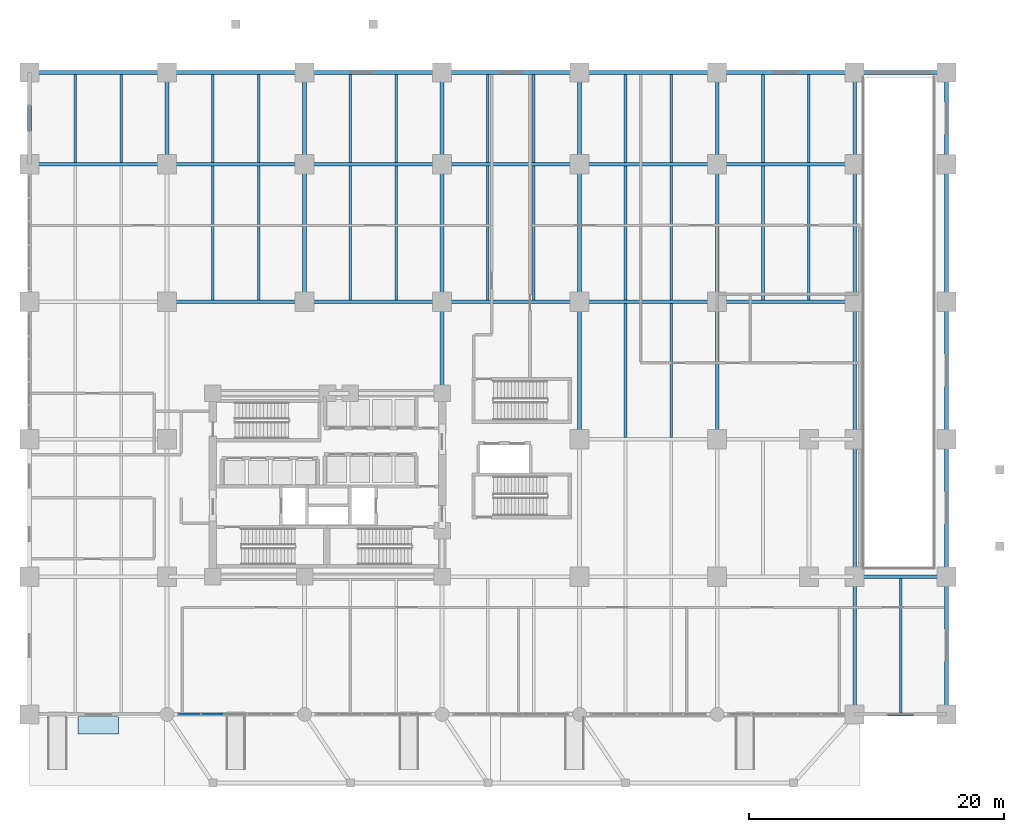
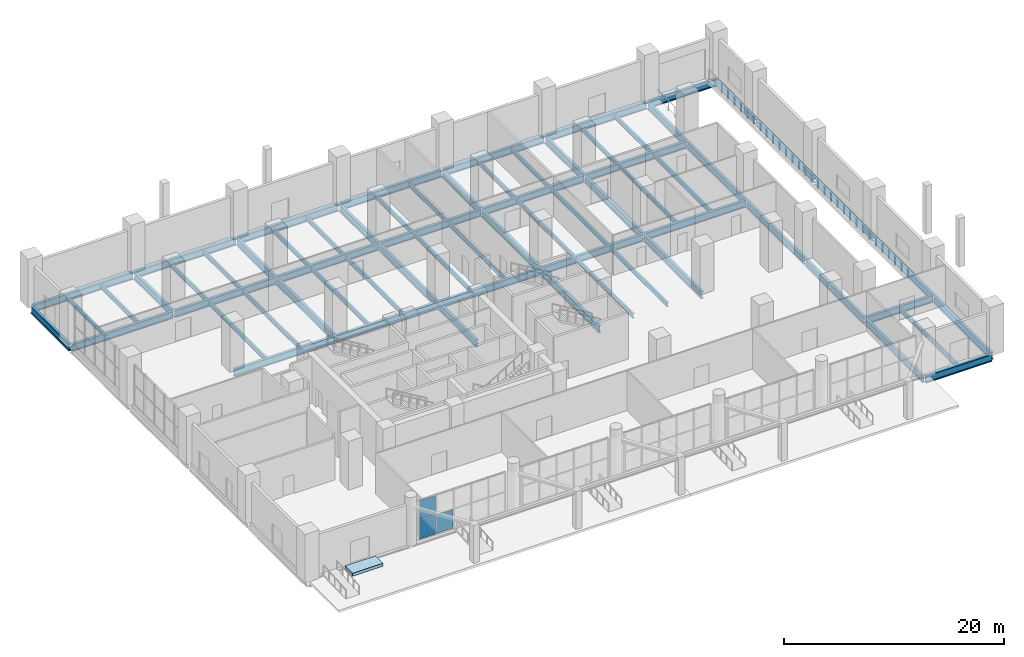
# One storey, part 11 of 22: 68 beams, 3 plates, 1 slab, 1 element without a shape of its own.
"""IFC4 building model written with IfcOpenShell, lengths in metres."""

from ifc_helpers import new_model, si_unit, direction, frame, origin, origin_2d, place, context, subcontext, project, spatial, polyline, rectangle, i_section, outline, extrude, material, layer, layer_set, material_profile, profile_set, type_object, element, aggregate, save


model = new_model("IFC4")

# Units and contexts
model_context = context("Model", 3, precision=1e-05, world=origin(), true_north=direction((0.0, 1.0)))
body_context = subcontext(model_context, "Body", "Model", "MODEL_VIEW")
ifc_project = project(units=[si_unit("LENGTHUNIT", "METRE"), si_unit("AREAUNIT", "SQUARE_METRE"), si_unit("VOLUMEUNIT", "CUBIC_METRE"), si_unit("PLANEANGLEUNIT", "RADIAN"), si_unit("MASSUNIT", "GRAM", prefix="KILO")], contexts=[model_context])

# Site, building, storey
site_placement = place(None, origin())
site = spatial("IfcSite", under=ifc_project, at=site_placement, CompositionType="ELEMENT")
building_placement = place(site_placement, origin())
building = spatial("IfcBuilding", under=site, at=building_placement, Name="Solnavia Interchange Tower", CompositionType="ELEMENT")
storey_placement = place(building_placement, origin())
storey = spatial("IfcBuildingStorey", under=building, at=storey_placement, Name="L00", CompositionType="ELEMENT", Elevation=0.0)

# Beams
ifc_material_1 = material(Name="Steel S460", Category="steel")
ifc_material_profile_1 = material_profile(ifc_material_1, i_section(OverallWidth=0.300048828125, OverallDepth=0.800048828125, WebThickness=0.017578125, FlangeThickness=0.032958984375, FilletRadius=0.030029296875, at=origin_2d()), Name="HEB 800")
ifc_profile_set_1 = profile_set([ifc_material_profile_1], Name="Steel S460")
beam_type_1 = type_object("IfcBeamType", Name="Beam-Girder-HEB800", PredefinedType="BEAM", material=ifc_profile_set_1)
for number, where, z_axis, x_axis, name in (
    (1, (64.89990234375, 0.0, -0.75), (1.0, 0.0, 0.0), (0.0, 1.0, 0.0), "GRD-L00-07 Podium primary girder"),
    (2, (64.89990234375, 10.800048828125, -0.75), (1.0, 0.0, 0.0), (0.0, 1.0, 0.0), "GRD-L00-16 Podium primary girder"),
):
    element("IfcBeam", number, at=place(storey_placement, frame(where, z_axis=z_axis, x_axis=x_axis)), inside=storey, type_object=beam_type_1, Name=name, PredefinedType="BEAM", context=body_context, shape_type="SweptSolid", body=[
        extrude(i_section(OverallWidth=0.300048828125, OverallDepth=0.800048828125, WebThickness=0.017578125, FlangeThickness=0.032958984375, FilletRadius=0.030029296875, at=origin_2d()), origin(), (0.0, 0.0, 1.0), 7.0),
    ])
for number, where, z_axis, x_axis, name in (
    (3, (10.89990234375, 32.39990234375, -0.75), (1.0, 0.0, 0.0), (0.0, 1.0, 0.0), "GRD-L00-25 Podium primary girder"),
    (4, (21.699951171875, 32.39990234375, -0.75), (1.0, 0.0, 0.0), (0.0, 1.0, 0.0), "GRD-L00-26 Podium primary girder"),
    (5, (32.5, 32.39990234375, -0.75), (1.0, 0.0, 0.0), (0.0, 1.0, 0.0), "GRD-L00-27 Podium primary girder"),
):
    element("IfcBeam", number, at=place(storey_placement, frame(where, z_axis=z_axis, x_axis=x_axis)), inside=storey, type_object=beam_type_1, Name=name, PredefinedType="BEAM", context=body_context, shape_type="SweptSolid", body=[
        extrude(i_section(OverallWidth=0.300048828125, OverallDepth=0.800048828125, WebThickness=0.017578125, FlangeThickness=0.032958984375, FilletRadius=0.030029296875, at=origin_2d()), origin(), (0.0, 0.0, 1.0), 10.60009765625),
    ])
for number, where, z_axis, x_axis, name in (
    (6, (43.300048828125, 32.39990234375, -0.75), (1.0, 0.0, 0.0), (0.0, 1.0, 0.0), "GRD-L00-28 Podium primary girder"),
    (7, (54.10009765625, 32.39990234375, -0.75), (1.0, 0.0, 0.0), (0.0, 1.0, 0.0), "GRD-L00-29 Podium primary girder"),
    (8, (0.10009765625, 43.199951171875, -0.75), (1.0, 0.0, 0.0), (0.0, 1.0, 0.0), "GRD-L00-30 Podium primary girder"),
):
    element("IfcBeam", number, at=place(storey_placement, frame(where, z_axis=z_axis, x_axis=x_axis)), inside=storey, type_object=beam_type_1, Name=name, PredefinedType="BEAM", context=body_context, shape_type="SweptSolid", body=[
        extrude(i_section(OverallWidth=0.300048828125, OverallDepth=0.800048828125, WebThickness=0.017578125, FlangeThickness=0.032958984375, FilletRadius=0.030029296875, at=origin_2d()), origin(), (0.0, 0.0, 1.0), 10.599853515625),
    ])
for number, where, z_axis, x_axis, name in (
    (9, (10.89990234375, 43.199951171875, -0.75), (1.0, 0.0, 0.0), (0.0, 1.0, 0.0), "GRD-L00-31 Podium primary girder"),
    (10, (21.699951171875, 43.199951171875, -0.75), (1.0, 0.0, 0.0), (0.0, 1.0, 0.0), "GRD-L00-32 Podium primary girder"),
    (11, (32.5, 43.199951171875, -0.75), (1.0, 0.0, 0.0), (0.0, 1.0, 0.0), "GRD-L00-33 Podium primary girder"),
):
    element("IfcBeam", number, at=place(storey_placement, frame(where, z_axis=z_axis, x_axis=x_axis)), inside=storey, type_object=beam_type_1, Name=name, PredefinedType="BEAM", context=body_context, shape_type="SweptSolid", body=[
        extrude(i_section(OverallWidth=0.300048828125, OverallDepth=0.800048828125, WebThickness=0.017578125, FlangeThickness=0.032958984375, FilletRadius=0.030029296875, at=origin_2d()), origin(), (0.0, 0.0, 1.0), 10.60009765625),
    ])
for number, where, z_axis, x_axis, name in (
    (12, (43.300048828125, 43.199951171875, -0.75), (1.0, 0.0, 0.0), (0.0, 1.0, 0.0), "GRD-L00-34 Podium primary girder"),
    (13, (54.10009765625, 43.199951171875, -0.75), (1.0, 0.0, 0.0), (0.0, 1.0, 0.0), "GRD-L00-35 Podium primary girder"),
    (14, (0.10009765625, 50.39990234375, -0.75), (1.0, 0.0, 0.0), (0.0, 1.0, 0.0), "GRD-L00-36 Podium primary girder"),
):
    element("IfcBeam", number, at=place(storey_placement, frame(where, z_axis=z_axis, x_axis=x_axis)), inside=storey, type_object=beam_type_1, Name=name, PredefinedType="BEAM", context=body_context, shape_type="SweptSolid", body=[
        extrude(i_section(OverallWidth=0.300048828125, OverallDepth=0.800048828125, WebThickness=0.017578125, FlangeThickness=0.032958984375, FilletRadius=0.030029296875, at=origin_2d()), origin(), (0.0, 0.0, 1.0), 10.599853515625),
    ])
for number, where, z_axis, x_axis, name in (
    (15, (10.89990234375, 50.39990234375, -0.75), (1.0, 0.0, 0.0), (0.0, 1.0, 0.0), "GRD-L00-37 Podium primary girder"),
    (16, (21.699951171875, 50.39990234375, -0.75), (1.0, 0.0, 0.0), (0.0, 1.0, 0.0), "GRD-L00-38 Podium primary girder"),
    (17, (32.5, 50.39990234375, -0.75), (1.0, 0.0, 0.0), (0.0, 1.0, 0.0), "GRD-L00-39 Podium primary girder"),
):
    element("IfcBeam", number, at=place(storey_placement, frame(where, z_axis=z_axis, x_axis=x_axis)), inside=storey, type_object=beam_type_1, Name=name, PredefinedType="BEAM", context=body_context, shape_type="SweptSolid", body=[
        extrude(i_section(OverallWidth=0.300048828125, OverallDepth=0.800048828125, WebThickness=0.017578125, FlangeThickness=0.032958984375, FilletRadius=0.030029296875, at=origin_2d()), origin(), (0.0, 0.0, 1.0), 10.60009765625),
    ])
for number, where, z_axis, x_axis, name in (
    (18, (43.300048828125, 50.39990234375, -0.75), (1.0, 0.0, 0.0), (0.0, 1.0, 0.0), "GRD-L00-40 Podium primary girder"),
    (19, (54.10009765625, 50.39990234375, -0.75), (1.0, 0.0, 0.0), (0.0, 1.0, 0.0), "GRD-L00-41 Podium primary girder"),
):
    element("IfcBeam", number, at=place(storey_placement, frame(where, z_axis=z_axis, x_axis=x_axis)), inside=storey, type_object=beam_type_1, Name=name, PredefinedType="BEAM", context=body_context, shape_type="SweptSolid", body=[
        extrude(i_section(OverallWidth=0.300048828125, OverallDepth=0.800048828125, WebThickness=0.017578125, FlangeThickness=0.032958984375, FilletRadius=0.030029296875, at=origin_2d()), origin(), (0.0, 0.0, 1.0), 10.599853515625),
    ])
for number, where, z_axis, x_axis, name in (
    (20, (64.89990234375, 50.39990234375, -0.75), (1.0, 0.0, 0.0), (0.0, 1.0, 0.0), "GRD-L00-42 Podium primary girder"),
    (21, (0.0, 43.300048828125, -0.75), (0.0, 1.0, 0.0), (-1.0, 0.0, 0.0), "GRD-L00-47 Podium primary girder"),
    (22, (10.800048828125, 43.300048828125, -0.75), (0.0, 1.0, 0.0), (-1.0, 0.0, 0.0), "GRD-L00-52 Podium primary girder"),
):
    element("IfcBeam", number, at=place(storey_placement, frame(where, z_axis=z_axis, x_axis=x_axis)), inside=storey, type_object=beam_type_1, Name=name, PredefinedType="BEAM", context=body_context, shape_type="SweptSolid", body=[
        extrude(i_section(OverallWidth=0.300048828125, OverallDepth=0.800048828125, WebThickness=0.017578125, FlangeThickness=0.032958984375, FilletRadius=0.030029296875, at=origin_2d()), origin(), (0.0, 0.0, 1.0), 7.0),
    ])
beam_1_placement = place(storey_placement, frame((21.60009765625, 32.5, -0.75), z_axis=(0.0, 1.0, 0.0), x_axis=(-1.0, 0.0, 0.0)))
element("IfcBeam", 23, at=beam_1_placement, inside=storey, type_object=beam_type_1, Name="GRD-L00-54 Podium primary girder", PredefinedType="BEAM", context=body_context, shape_type="SweptSolid", body=[
    extrude(i_section(OverallWidth=0.300048828125, OverallDepth=0.800048828125, WebThickness=0.017578125, FlangeThickness=0.032958984375, FilletRadius=0.030029296875, at=origin_2d()), origin(), (0.0, 0.0, 1.0), 10.60009765625),
])
for number, where, z_axis, x_axis, name in (
    (24, (21.60009765625, 43.300048828125, -0.75), (0.0, 1.0, 0.0), (-1.0, 0.0, 0.0), "GRD-L00-55 Podium primary girder"),
    (25, (32.39990234375, 25.300048828125, -0.75), (0.0, 1.0, 0.0), (-1.0, 0.0, 0.0), "GRD-L00-58 Podium primary girder"),
):
    element("IfcBeam", number, at=place(storey_placement, frame(where, z_axis=z_axis, x_axis=x_axis)), inside=storey, type_object=beam_type_1, Name=name, PredefinedType="BEAM", context=body_context, shape_type="SweptSolid", body=[
        extrude(i_section(OverallWidth=0.300048828125, OverallDepth=0.800048828125, WebThickness=0.017578125, FlangeThickness=0.032958984375, FilletRadius=0.030029296875, at=origin_2d()), origin(), (0.0, 0.0, 1.0), 7.0),
    ])
beam_2_placement = place(storey_placement, frame((32.39990234375, 32.5, -0.75), z_axis=(0.0, 1.0, 0.0), x_axis=(-1.0, 0.0, 0.0)))
element("IfcBeam", 26, at=beam_2_placement, inside=storey, type_object=beam_type_1, Name="GRD-L00-59 Podium primary girder", PredefinedType="BEAM", context=body_context, shape_type="SweptSolid", body=[
    extrude(i_section(OverallWidth=0.300048828125, OverallDepth=0.800048828125, WebThickness=0.017578125, FlangeThickness=0.032958984375, FilletRadius=0.030029296875, at=origin_2d()), origin(), (0.0, 0.0, 1.0), 10.60009765625),
])
beam_3_placement = place(storey_placement, frame((32.39990234375, 43.300048828125, -0.75), z_axis=(0.0, 1.0, 0.0), x_axis=(-1.0, 0.0, 0.0)))
element("IfcBeam", 27, at=beam_3_placement, inside=storey, type_object=beam_type_1, Name="GRD-L00-60 Podium primary girder", PredefinedType="BEAM", context=body_context, shape_type="SweptSolid", body=[
    extrude(i_section(OverallWidth=0.300048828125, OverallDepth=0.800048828125, WebThickness=0.017578125, FlangeThickness=0.032958984375, FilletRadius=0.030029296875, at=origin_2d()), origin(), (0.0, 0.0, 1.0), 7.0),
])
for number, where, z_axis, x_axis, name in (
    (28, (43.199951171875, 21.699951171875, -0.75), (0.0, 1.0, 0.0), (-1.0, 0.0, 0.0), "GRD-L00-63 Podium primary girder"),
    (29, (43.199951171875, 32.5, -0.75), (0.0, 1.0, 0.0), (-1.0, 0.0, 0.0), "GRD-L00-64 Podium primary girder"),
):
    element("IfcBeam", number, at=place(storey_placement, frame(where, z_axis=z_axis, x_axis=x_axis)), inside=storey, type_object=beam_type_1, Name=name, PredefinedType="BEAM", context=body_context, shape_type="SweptSolid", body=[
        extrude(i_section(OverallWidth=0.300048828125, OverallDepth=0.800048828125, WebThickness=0.017578125, FlangeThickness=0.032958984375, FilletRadius=0.030029296875, at=origin_2d()), origin(), (0.0, 0.0, 1.0), 10.60009765625),
    ])
beam_4_placement = place(storey_placement, frame((43.199951171875, 43.300048828125, -0.75), z_axis=(0.0, 1.0, 0.0), x_axis=(-1.0, 0.0, 0.0)))
element("IfcBeam", 30, at=beam_4_placement, inside=storey, type_object=beam_type_1, Name="GRD-L00-65 Podium primary girder", PredefinedType="BEAM", context=body_context, shape_type="SweptSolid", body=[
    extrude(i_section(OverallWidth=0.300048828125, OverallDepth=0.800048828125, WebThickness=0.017578125, FlangeThickness=0.032958984375, FilletRadius=0.030029296875, at=origin_2d()), origin(), (0.0, 0.0, 1.0), 7.0),
])
for number, where, z_axis, x_axis, name in (
    (31, (54.0, 21.699951171875, -0.75), (0.0, 1.0, 0.0), (-1.0, 0.0, 0.0), "GRD-L00-68 Podium primary girder"),
    (32, (54.0, 32.5, -0.75), (0.0, 1.0, 0.0), (-1.0, 0.0, 0.0), "GRD-L00-69 Podium primary girder"),
):
    element("IfcBeam", number, at=place(storey_placement, frame(where, z_axis=z_axis, x_axis=x_axis)), inside=storey, type_object=beam_type_1, Name=name, PredefinedType="BEAM", context=body_context, shape_type="SweptSolid", body=[
        extrude(i_section(OverallWidth=0.300048828125, OverallDepth=0.800048828125, WebThickness=0.017578125, FlangeThickness=0.032958984375, FilletRadius=0.030029296875, at=origin_2d()), origin(), (0.0, 0.0, 1.0), 10.60009765625),
    ])
beam_5_placement = place(storey_placement, frame((54.0, 43.300048828125, -0.75), z_axis=(0.0, 1.0, 0.0), x_axis=(-1.0, 0.0, 0.0)))
element("IfcBeam", 33, at=beam_5_placement, inside=storey, type_object=beam_type_1, Name="GRD-L00-70 Podium primary girder", PredefinedType="BEAM", context=body_context, shape_type="SweptSolid", body=[
    extrude(i_section(OverallWidth=0.300048828125, OverallDepth=0.800048828125, WebThickness=0.017578125, FlangeThickness=0.032958984375, FilletRadius=0.030029296875, at=origin_2d()), origin(), (0.0, 0.0, 1.0), 7.0),
])
beam_6_placement = place(storey_placement, frame((64.800048828125, 0.10009765625, -0.75), z_axis=(0.0, 1.0, 0.0), x_axis=(-1.0, 0.0, 0.0)))
element("IfcBeam", 34, at=beam_6_placement, inside=storey, type_object=beam_type_1, Name="GRD-L00-72 Podium primary girder", PredefinedType="BEAM", context=body_context, shape_type="SweptSolid", body=[
    extrude(i_section(OverallWidth=0.300048828125, OverallDepth=0.800048828125, WebThickness=0.017578125, FlangeThickness=0.032958984375, FilletRadius=0.030029296875, at=origin_2d()), origin(), (0.0, 0.0, 1.0), 10.599853515625),
])
for number, where, z_axis, x_axis, name in (
    (35, (64.800048828125, 10.89990234375, -0.75), (0.0, 1.0, 0.0), (-1.0, 0.0, 0.0), "GRD-L00-73 Podium primary girder"),
    (36, (64.800048828125, 21.699951171875, -0.75), (0.0, 1.0, 0.0), (-1.0, 0.0, 0.0), "GRD-L00-74 Podium primary girder"),
    (37, (64.800048828125, 32.5, -0.75), (0.0, 1.0, 0.0), (-1.0, 0.0, 0.0), "GRD-L00-75 Podium primary girder"),
):
    element("IfcBeam", number, at=place(storey_placement, frame(where, z_axis=z_axis, x_axis=x_axis)), inside=storey, type_object=beam_type_1, Name=name, PredefinedType="BEAM", context=body_context, shape_type="SweptSolid", body=[
        extrude(i_section(OverallWidth=0.300048828125, OverallDepth=0.800048828125, WebThickness=0.017578125, FlangeThickness=0.032958984375, FilletRadius=0.030029296875, at=origin_2d()), origin(), (0.0, 0.0, 1.0), 10.60009765625),
    ])
beam_7_placement = place(storey_placement, frame((64.800048828125, 43.300048828125, -0.75), z_axis=(0.0, 1.0, 0.0), x_axis=(-1.0, 0.0, 0.0)))
element("IfcBeam", 38, at=beam_7_placement, inside=storey, type_object=beam_type_1, Name="GRD-L00-76 Podium primary girder", PredefinedType="BEAM", context=body_context, shape_type="SweptSolid", body=[
    extrude(i_section(OverallWidth=0.300048828125, OverallDepth=0.800048828125, WebThickness=0.017578125, FlangeThickness=0.032958984375, FilletRadius=0.030029296875, at=origin_2d()), origin(), (0.0, 0.0, 1.0), 7.0),
])
beam_8_placement = place(storey_placement, frame((72.0, 0.10009765625, -0.75), z_axis=(0.0, 1.0, 0.0), x_axis=(-1.0, 0.0, 0.0)))
element("IfcBeam", 39, at=beam_8_placement, inside=storey, type_object=beam_type_1, Name="GRD-L00-77 Podium primary girder", PredefinedType="BEAM", context=body_context, shape_type="SweptSolid", body=[
    extrude(i_section(OverallWidth=0.300048828125, OverallDepth=0.800048828125, WebThickness=0.017578125, FlangeThickness=0.032958984375, FilletRadius=0.030029296875, at=origin_2d()), origin(), (0.0, 0.0, 1.0), 10.599853515625),
])
for number, where, z_axis, x_axis, name in (
    (40, (72.0, 10.89990234375, -0.75), (0.0, 1.0, 0.0), (-1.0, 0.0, 0.0), "GRD-L00-78 Podium primary girder"),
    (41, (72.0, 21.699951171875, -0.75), (0.0, 1.0, 0.0), (-1.0, 0.0, 0.0), "GRD-L00-79 Podium primary girder"),
    (42, (72.0, 32.5, -0.75), (0.0, 1.0, 0.0), (-1.0, 0.0, 0.0), "GRD-L00-80 Podium primary girder"),
):
    element("IfcBeam", number, at=place(storey_placement, frame(where, z_axis=z_axis, x_axis=x_axis)), inside=storey, type_object=beam_type_1, Name=name, PredefinedType="BEAM", context=body_context, shape_type="SweptSolid", body=[
        extrude(i_section(OverallWidth=0.300048828125, OverallDepth=0.800048828125, WebThickness=0.017578125, FlangeThickness=0.032958984375, FilletRadius=0.030029296875, at=origin_2d()), origin(), (0.0, 0.0, 1.0), 10.60009765625),
    ])
beam_9_placement = place(storey_placement, frame((72.0, 43.300048828125, -0.75), z_axis=(0.0, 1.0, 0.0), x_axis=(-1.0, 0.0, 0.0)))
element("IfcBeam", 43, at=beam_9_placement, inside=storey, type_object=beam_type_1, Name="GRD-L00-81 Podium primary girder", PredefinedType="BEAM", context=body_context, shape_type="SweptSolid", body=[
    extrude(i_section(OverallWidth=0.300048828125, OverallDepth=0.800048828125, WebThickness=0.017578125, FlangeThickness=0.032958984375, FilletRadius=0.030029296875, at=origin_2d()), origin(), (0.0, 0.0, 1.0), 7.0),
])
ifc_material_2 = material(Name="Steel S355", Category="steel")
ifc_material_profile_2 = material_profile(ifc_material_2, i_section(OverallWidth=0.199951171875, OverallDepth=0.5, WebThickness=0.01025390625, FlangeThickness=0.01611328125, FilletRadius=0.02099609375, at=origin_2d()), Name="IPE 500")
ifc_profile_set_2 = profile_set([ifc_material_profile_2], Name="Steel S355")
beam_type_2 = type_object("IfcBeamType", Name="Beam-Joist-IPE500", PredefinedType="JOIST", material=ifc_profile_set_2)
for number, where, z_axis, x_axis, name in (
    (44, (3.60009765625, 43.35009765625, -0.60009765625), (0.0, 1.0, 0.0), (-1.0, 0.0, 0.0), "JST-L00-05 Podium composite floor joist"),
    (45, (7.199951171875, 43.35009765625, -0.60009765625), (0.0, 1.0, 0.0), (-1.0, 0.0, 0.0), "JST-L00-10 Podium composite floor joist"),
):
    element("IfcBeam", number, at=place(storey_placement, frame(where, z_axis=z_axis, x_axis=x_axis)), inside=storey, type_object=beam_type_2, Name=name, PredefinedType="JOIST", context=body_context, shape_type="SweptSolid", body=[
        extrude(i_section(OverallWidth=0.199951171875, OverallDepth=0.5, WebThickness=0.01025390625, FlangeThickness=0.01611328125, FilletRadius=0.02099609375, at=origin_2d()), origin(), (0.0, 0.0, 1.0), 6.89990234375),
    ])
beam_10_placement = place(storey_placement, frame((14.39990234375, 32.550048828125, -0.60009765625), z_axis=(0.0, 1.0, 0.0), x_axis=(-1.0, 0.0, 0.0)))
element("IfcBeam", 46, at=beam_10_placement, inside=storey, type_object=beam_type_2, Name="JST-L00-11 Podium composite floor joist", PredefinedType="JOIST", context=body_context, shape_type="SweptSolid", body=[
    extrude(i_section(OverallWidth=0.199951171875, OverallDepth=0.5, WebThickness=0.01025390625, FlangeThickness=0.01611328125, FilletRadius=0.02099609375, at=origin_2d()), origin(), (0.0, 0.0, 1.0), 10.5),
])
beam_11_placement = place(storey_placement, frame((14.39990234375, 43.35009765625, -0.60009765625), z_axis=(0.0, 1.0, 0.0), x_axis=(-1.0, 0.0, 0.0)))
element("IfcBeam", 47, at=beam_11_placement, inside=storey, type_object=beam_type_2, Name="JST-L00-12 Podium composite floor joist", PredefinedType="JOIST", context=body_context, shape_type="SweptSolid", body=[
    extrude(i_section(OverallWidth=0.199951171875, OverallDepth=0.5, WebThickness=0.01025390625, FlangeThickness=0.01611328125, FilletRadius=0.02099609375, at=origin_2d()), origin(), (0.0, 0.0, 1.0), 6.89990234375),
])
beam_12_placement = place(storey_placement, frame((18.0, 32.550048828125, -0.60009765625), z_axis=(0.0, 1.0, 0.0), x_axis=(-1.0, 0.0, 0.0)))
element("IfcBeam", 48, at=beam_12_placement, inside=storey, type_object=beam_type_2, Name="JST-L00-13 Podium composite floor joist", PredefinedType="JOIST", context=body_context, shape_type="SweptSolid", body=[
    extrude(i_section(OverallWidth=0.199951171875, OverallDepth=0.5, WebThickness=0.01025390625, FlangeThickness=0.01611328125, FilletRadius=0.02099609375, at=origin_2d()), origin(), (0.0, 0.0, 1.0), 10.5),
])
beam_13_placement = place(storey_placement, frame((18.0, 43.35009765625, -0.60009765625), z_axis=(0.0, 1.0, 0.0), x_axis=(-1.0, 0.0, 0.0)))
element("IfcBeam", 49, at=beam_13_placement, inside=storey, type_object=beam_type_2, Name="JST-L00-14 Podium composite floor joist", PredefinedType="JOIST", context=body_context, shape_type="SweptSolid", body=[
    extrude(i_section(OverallWidth=0.199951171875, OverallDepth=0.5, WebThickness=0.01025390625, FlangeThickness=0.01611328125, FilletRadius=0.02099609375, at=origin_2d()), origin(), (0.0, 0.0, 1.0), 6.89990234375),
])
beam_14_placement = place(storey_placement, frame((25.199951171875, 32.550048828125, -0.60009765625), z_axis=(0.0, 1.0, 0.0), x_axis=(-1.0, 0.0, 0.0)))
element("IfcBeam", 50, at=beam_14_placement, inside=storey, type_object=beam_type_2, Name="JST-L00-16 Podium composite floor joist", PredefinedType="JOIST", context=body_context, shape_type="SweptSolid", body=[
    extrude(i_section(OverallWidth=0.199951171875, OverallDepth=0.5, WebThickness=0.01025390625, FlangeThickness=0.01611328125, FilletRadius=0.02099609375, at=origin_2d()), origin(), (0.0, 0.0, 1.0), 10.5),
])
beam_15_placement = place(storey_placement, frame((25.199951171875, 43.35009765625, -0.60009765625), z_axis=(0.0, 1.0, 0.0), x_axis=(-1.0, 0.0, 0.0)))
element("IfcBeam", 51, at=beam_15_placement, inside=storey, type_object=beam_type_2, Name="JST-L00-17 Podium composite floor joist", PredefinedType="JOIST", context=body_context, shape_type="SweptSolid", body=[
    extrude(i_section(OverallWidth=0.199951171875, OverallDepth=0.5, WebThickness=0.01025390625, FlangeThickness=0.01611328125, FilletRadius=0.02099609375, at=origin_2d()), origin(), (0.0, 0.0, 1.0), 6.89990234375),
])
beam_16_placement = place(storey_placement, frame((28.800048828125, 32.550048828125, -0.60009765625), z_axis=(0.0, 1.0, 0.0), x_axis=(-1.0, 0.0, 0.0)))
element("IfcBeam", 52, at=beam_16_placement, inside=storey, type_object=beam_type_2, Name="JST-L00-19 Podium composite floor joist", PredefinedType="JOIST", context=body_context, shape_type="SweptSolid", body=[
    extrude(i_section(OverallWidth=0.199951171875, OverallDepth=0.5, WebThickness=0.01025390625, FlangeThickness=0.01611328125, FilletRadius=0.02099609375, at=origin_2d()), origin(), (0.0, 0.0, 1.0), 10.5),
])
beam_17_placement = place(storey_placement, frame((28.800048828125, 43.35009765625, -0.60009765625), z_axis=(0.0, 1.0, 0.0), x_axis=(-1.0, 0.0, 0.0)))
element("IfcBeam", 53, at=beam_17_placement, inside=storey, type_object=beam_type_2, Name="JST-L00-20 Podium composite floor joist", PredefinedType="JOIST", context=body_context, shape_type="SweptSolid", body=[
    extrude(i_section(OverallWidth=0.199951171875, OverallDepth=0.5, WebThickness=0.01025390625, FlangeThickness=0.01611328125, FilletRadius=0.02099609375, at=origin_2d()), origin(), (0.0, 0.0, 1.0), 6.89990234375),
])
beam_18_placement = place(storey_placement, frame((36.0, 32.550048828125, -0.60009765625), z_axis=(0.0, 1.0, 0.0), x_axis=(-1.0, 0.0, 0.0)))
element("IfcBeam", 54, at=beam_18_placement, inside=storey, type_object=beam_type_2, Name="JST-L00-22 Podium composite floor joist", PredefinedType="JOIST", context=body_context, shape_type="SweptSolid", body=[
    extrude(i_section(OverallWidth=0.199951171875, OverallDepth=0.5, WebThickness=0.01025390625, FlangeThickness=0.01611328125, FilletRadius=0.02099609375, at=origin_2d()), origin(), (0.0, 0.0, 1.0), 10.5),
])
beam_19_placement = place(storey_placement, frame((36.0, 43.35009765625, -0.60009765625), z_axis=(0.0, 1.0, 0.0), x_axis=(-1.0, 0.0, 0.0)))
element("IfcBeam", 55, at=beam_19_placement, inside=storey, type_object=beam_type_2, Name="JST-L00-23 Podium composite floor joist", PredefinedType="JOIST", context=body_context, shape_type="SweptSolid", body=[
    extrude(i_section(OverallWidth=0.199951171875, OverallDepth=0.5, WebThickness=0.01025390625, FlangeThickness=0.01611328125, FilletRadius=0.02099609375, at=origin_2d()), origin(), (0.0, 0.0, 1.0), 6.89990234375),
])
beam_20_placement = place(storey_placement, frame((39.60009765625, 32.550048828125, -0.60009765625), z_axis=(0.0, 1.0, 0.0), x_axis=(-1.0, 0.0, 0.0)))
element("IfcBeam", 56, at=beam_20_placement, inside=storey, type_object=beam_type_2, Name="JST-L00-25 Podium composite floor joist", PredefinedType="JOIST", context=body_context, shape_type="SweptSolid", body=[
    extrude(i_section(OverallWidth=0.199951171875, OverallDepth=0.5, WebThickness=0.01025390625, FlangeThickness=0.01611328125, FilletRadius=0.02099609375, at=origin_2d()), origin(), (0.0, 0.0, 1.0), 10.5),
])
beam_21_placement = place(storey_placement, frame((39.60009765625, 43.35009765625, -0.60009765625), z_axis=(0.0, 1.0, 0.0), x_axis=(-1.0, 0.0, 0.0)))
element("IfcBeam", 57, at=beam_21_placement, inside=storey, type_object=beam_type_2, Name="JST-L00-26 Podium composite floor joist", PredefinedType="JOIST", context=body_context, shape_type="SweptSolid", body=[
    extrude(i_section(OverallWidth=0.199951171875, OverallDepth=0.5, WebThickness=0.01025390625, FlangeThickness=0.01611328125, FilletRadius=0.02099609375, at=origin_2d()), origin(), (0.0, 0.0, 1.0), 6.89990234375),
])
for number, where, z_axis, x_axis, name in (
    (58, (46.800048828125, 21.75, -0.60009765625), (0.0, 1.0, 0.0), (-1.0, 0.0, 0.0), "JST-L00-29 Podium composite floor joist"),
    (59, (46.800048828125, 32.550048828125, -0.60009765625), (0.0, 1.0, 0.0), (-1.0, 0.0, 0.0), "JST-L00-30 Podium composite floor joist"),
):
    element("IfcBeam", number, at=place(storey_placement, frame(where, z_axis=z_axis, x_axis=x_axis)), inside=storey, type_object=beam_type_2, Name=name, PredefinedType="JOIST", context=body_context, shape_type="SweptSolid", body=[
        extrude(i_section(OverallWidth=0.199951171875, OverallDepth=0.5, WebThickness=0.01025390625, FlangeThickness=0.01611328125, FilletRadius=0.02099609375, at=origin_2d()), origin(), (0.0, 0.0, 1.0), 10.5),
    ])
beam_22_placement = place(storey_placement, frame((46.800048828125, 43.35009765625, -0.60009765625), z_axis=(0.0, 1.0, 0.0), x_axis=(-1.0, 0.0, 0.0)))
element("IfcBeam", 60, at=beam_22_placement, inside=storey, type_object=beam_type_2, Name="JST-L00-31 Podium composite floor joist", PredefinedType="JOIST", context=body_context, shape_type="SweptSolid", body=[
    extrude(i_section(OverallWidth=0.199951171875, OverallDepth=0.5, WebThickness=0.01025390625, FlangeThickness=0.01611328125, FilletRadius=0.02099609375, at=origin_2d()), origin(), (0.0, 0.0, 1.0), 6.89990234375),
])
for number, where, z_axis, x_axis, name in (
    (61, (50.39990234375, 21.75, -0.60009765625), (0.0, 1.0, 0.0), (-1.0, 0.0, 0.0), "JST-L00-34 Podium composite floor joist"),
    (62, (50.39990234375, 32.550048828125, -0.60009765625), (0.0, 1.0, 0.0), (-1.0, 0.0, 0.0), "JST-L00-35 Podium composite floor joist"),
):
    element("IfcBeam", number, at=place(storey_placement, frame(where, z_axis=z_axis, x_axis=x_axis)), inside=storey, type_object=beam_type_2, Name=name, PredefinedType="JOIST", context=body_context, shape_type="SweptSolid", body=[
        extrude(i_section(OverallWidth=0.199951171875, OverallDepth=0.5, WebThickness=0.01025390625, FlangeThickness=0.01611328125, FilletRadius=0.02099609375, at=origin_2d()), origin(), (0.0, 0.0, 1.0), 10.5),
    ])
beam_23_placement = place(storey_placement, frame((50.39990234375, 43.35009765625, -0.60009765625), z_axis=(0.0, 1.0, 0.0), x_axis=(-1.0, 0.0, 0.0)))
element("IfcBeam", 63, at=beam_23_placement, inside=storey, type_object=beam_type_2, Name="JST-L00-36 Podium composite floor joist", PredefinedType="JOIST", context=body_context, shape_type="SweptSolid", body=[
    extrude(i_section(OverallWidth=0.199951171875, OverallDepth=0.5, WebThickness=0.01025390625, FlangeThickness=0.01611328125, FilletRadius=0.02099609375, at=origin_2d()), origin(), (0.0, 0.0, 1.0), 6.89990234375),
])
beam_24_placement = place(storey_placement, frame((57.60009765625, 32.550048828125, -0.60009765625), z_axis=(0.0, 1.0, 0.0), x_axis=(-1.0, 0.0, 0.0)))
element("IfcBeam", 64, at=beam_24_placement, inside=storey, type_object=beam_type_2, Name="JST-L00-38 Podium composite floor joist", PredefinedType="JOIST", context=body_context, shape_type="SweptSolid", body=[
    extrude(i_section(OverallWidth=0.199951171875, OverallDepth=0.5, WebThickness=0.01025390625, FlangeThickness=0.01611328125, FilletRadius=0.02099609375, at=origin_2d()), origin(), (0.0, 0.0, 1.0), 10.5),
])
beam_25_placement = place(storey_placement, frame((57.60009765625, 43.35009765625, -0.60009765625), z_axis=(0.0, 1.0, 0.0), x_axis=(-1.0, 0.0, 0.0)))
element("IfcBeam", 65, at=beam_25_placement, inside=storey, type_object=beam_type_2, Name="JST-L00-39 Podium composite floor joist", PredefinedType="JOIST", context=body_context, shape_type="SweptSolid", body=[
    extrude(i_section(OverallWidth=0.199951171875, OverallDepth=0.5, WebThickness=0.01025390625, FlangeThickness=0.01611328125, FilletRadius=0.02099609375, at=origin_2d()), origin(), (0.0, 0.0, 1.0), 6.89990234375),
])
beam_26_placement = place(storey_placement, frame((61.199951171875, 32.550048828125, -0.60009765625), z_axis=(0.0, 1.0, 0.0), x_axis=(-1.0, 0.0, 0.0)))
element("IfcBeam", 66, at=beam_26_placement, inside=storey, type_object=beam_type_2, Name="JST-L00-40 Podium composite floor joist", PredefinedType="JOIST", context=body_context, shape_type="SweptSolid", body=[
    extrude(i_section(OverallWidth=0.199951171875, OverallDepth=0.5, WebThickness=0.01025390625, FlangeThickness=0.01611328125, FilletRadius=0.02099609375, at=origin_2d()), origin(), (0.0, 0.0, 1.0), 10.5),
])
beam_27_placement = place(storey_placement, frame((61.199951171875, 43.35009765625, -0.60009765625), z_axis=(0.0, 1.0, 0.0), x_axis=(-1.0, 0.0, 0.0)))
element("IfcBeam", 67, at=beam_27_placement, inside=storey, type_object=beam_type_2, Name="JST-L00-41 Podium composite floor joist", PredefinedType="JOIST", context=body_context, shape_type="SweptSolid", body=[
    extrude(i_section(OverallWidth=0.199951171875, OverallDepth=0.5, WebThickness=0.01025390625, FlangeThickness=0.01611328125, FilletRadius=0.02099609375, at=origin_2d()), origin(), (0.0, 0.0, 1.0), 6.89990234375),
])
beam_28_placement = place(storey_placement, frame((68.39990234375, 0.14990234375, -0.60009765625), z_axis=(0.0, 1.0, 0.0), x_axis=(-1.0, 0.0, 0.0)))
element("IfcBeam", 68, at=beam_28_placement, inside=storey, type_object=beam_type_2, Name="JST-L00-42 Podium composite floor joist", PredefinedType="JOIST", context=body_context, shape_type="SweptSolid", body=[
    extrude(i_section(OverallWidth=0.199951171875, OverallDepth=0.5, WebThickness=0.01025390625, FlangeThickness=0.01611328125, FilletRadius=0.02099609375, at=origin_2d()), origin(), (0.0, 0.0, 1.0), 10.5),
])

# Curtain wall, plates
ifc_material_3 = material(Name="Aluminium Alloy 6063-T6", Category="aluminium")
ifc_layer_1 = layer(ifc_material_3, 0.27001953125)
ifc_layer_set_1 = layer_set([ifc_layer_1], Name="Aluminium Alloy 6063-T6")
curtain_wall_type = type_object("IfcCurtainWallType", Name="CurtainWall-Podium-CTW1", PredefinedType="NOTDEFINED", material=ifc_layer_set_1)
curtain_wall_placement = place(storey_placement, origin())
curtain_wall = element("IfcCurtainWall", 69, at=curtain_wall_placement, inside=storey, type_object=curtain_wall_type, Name="CTW-L00-S01 CTW-1 curtain wall", PredefinedType="NOTDEFINED")
ifc_material_4 = material(Name="Double-Glazed Low-E IGU Glass", Category="glass")
ifc_layer_2 = layer(ifc_material_4, 0.028076171875)
ifc_layer_set_2 = layer_set([ifc_layer_2], Name="Double-Glazed Low-E IGU Glass")
plate_type = type_object("IfcPlateType", Name="CW-Panel-Glazed-28", PredefinedType="CURTAIN_PANEL", material=ifc_layer_set_2)
plate_1_placement = place(storey_placement, frame((14.3759765625, 0.0, 0.06982421875), z_axis=(0.0, 0.0, 1.0), x_axis=(-1.0, 0.0, 0.0)))
plate_1 = element("IfcPlate", 70, at=plate_1_placement, type_object=plate_type, Name="CTW-1 panel 4.1", PredefinedType="CURTAIN_PANEL", context=body_context, shape_type="SweptSolid", body=[
    extrude(rectangle(XDim=1.743896484375, YDim=0.028076171875, at=origin_2d()), origin(), (0.0, 0.0, 1.0), 2.110107421875),
])
plate_2_placement = place(storey_placement, frame((12.572021484375, 0.0, 0.06982421875), z_axis=(0.0, 0.0, 1.0), x_axis=(-1.0, 0.0, 0.0)))
plate_2 = element("IfcPlate", 71, at=plate_2_placement, type_object=plate_type, Name="CTW-1 panel 5.1", PredefinedType="CURTAIN_PANEL", context=body_context, shape_type="SweptSolid", body=[
    extrude(rectangle(XDim=1.7041015625, YDim=0.028076171875, at=origin_2d()), origin(), (0.0, 0.0, 1.0), 2.110107421875),
])
plate_3_placement = place(storey_placement, frame((12.572021484375, 0.0, 2.25), z_axis=(0.0, 0.0, 1.0), x_axis=(-1.0, 0.0, 0.0)))
plate_3 = element("IfcPlate", 72, at=plate_3_placement, type_object=plate_type, Name="CTW-1 panel 5.2", PredefinedType="CURTAIN_PANEL", context=body_context, shape_type="SweptSolid", body=[
    extrude(rectangle(XDim=1.7041015625, YDim=0.028076171875, at=origin_2d()), origin(), (0.0, 0.0, 1.0), 2.110107421875),
])
aggregate(curtain_wall, [plate_1, plate_2, plate_3])

# Slab
ifc_material_5 = material(Name="Concrete C40/50", Category="concrete")
ifc_layer_3 = layer(ifc_material_5, 0.25)
ifc_layer_set_3 = layer_set([ifc_layer_3], Name="Concrete C40/50")
slab_type = type_object("IfcSlabType", Name="Slab-PromenadePaving-250", PredefinedType="USERDEFINED", material=ifc_layer_set_3)
slab_placement = place(storey_placement, frame((0.0, 0.0, -0.35009765625)))
element("IfcSlab", 73, at=slab_placement, inside=storey, type_object=slab_type, Name="PAV-L00-M0 Main entrance level threshold landing", ObjectType="PAVING", PredefinedType="USERDEFINED", context=body_context, shape_type="SweptSolid", body=[
    extrude(outline(polyline([(3.800048828125, -1.550048828125), (7.0, -1.550048828125), (7.0, -0.179931640625), (3.800048828125, -0.179931640625), (3.800048828125, -1.550048828125)])), origin(), (0.0, 0.0, 1.0), 0.330078125),
])

save(model, "model.ifc")
